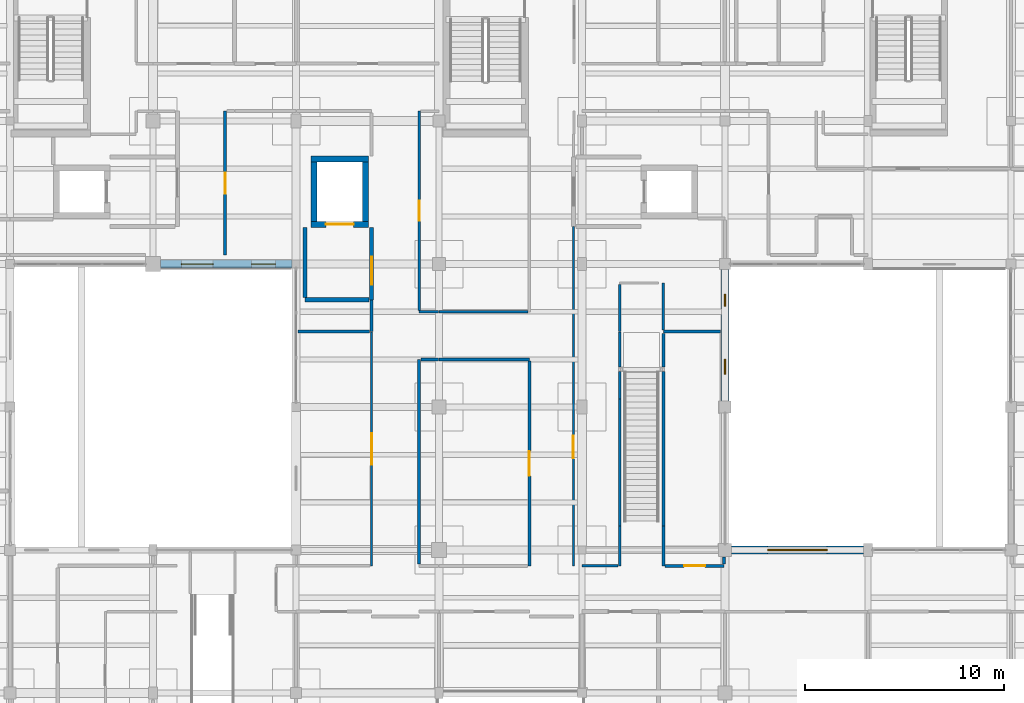
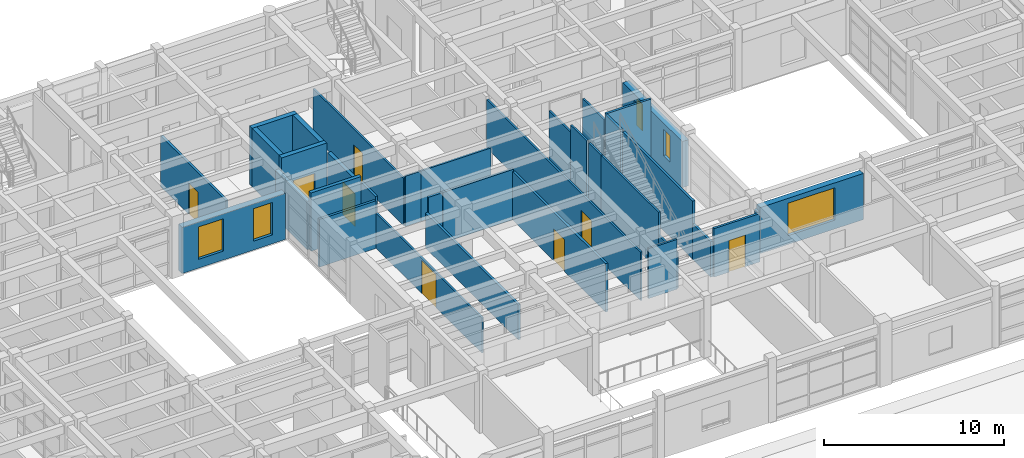
# One storey, part 87 of 110: 35 walls, 8 doors, 5 windows, 13 openings.
"""IFC4 building model written with IfcOpenShell, lengths in metres."""

import ifcopenshell
import ifcopenshell.guid

model = None  # the IFC model being written
_history = None  # IfcOwnerHistory: only IFC2X3 demands one
_inside = {}  # id of a spatial element -> (the spatial element, [elements in it])
_under = {}  # id of a project, library or spatial element -> (it, [spatial elements below it])
_declared = {}  # id of a project -> (the project, [libraries it declares])
_typed = {}  # id of a type object -> (the type object, [elements of that type])
_made_of = {}  # id of a material, layer set ... -> (it, [elements and type objects made of it])


def new_model(schema):
    """Start an empty IFC model of exactly this schema.

    Asked for "IFC4X3", IfcOpenShell would pick the latest addendum, in which some entities
    have other attributes; the version numbers below select the first issue.
    IFC2X3 requires an IfcOwnerHistory on every rooted entity: one is made here for all.
    """
    global model, _history
    if schema == "IFC4X3":
        model = ifcopenshell.file(schema_version=(4, 3, 0, 0))
    else:
        model = ifcopenshell.file(schema=schema)
    _inside.clear()
    _under.clear()
    _declared.clear()
    _typed.clear()
    _made_of.clear()
    _history = None
    if model.schema == "IFC2X3":
        org = make("IfcOrganization", Name="unknown")
        user = make(
            "IfcPersonAndOrganization",
            ThePerson=make("IfcPerson", FamilyName="unknown"),
            TheOrganization=org,
        )
        app = make(
            "IfcApplication",
            ApplicationDeveloper=org,
            Version="unknown",
            ApplicationFullName="unknown",
            ApplicationIdentifier="unknown",
        )
        _history = make(
            "IfcOwnerHistory",
            OwningUser=user,
            OwningApplication=app,
            ChangeAction="ADDED",
            CreationDate=0,
        )
    return model


def make(cls, **values):
    """One entity of the class cls with the attributes given. An attribute that is None is left unset."""
    return model.create_entity(
        cls, **{name: value for name, value in values.items() if value is not None}
    )


def rooted(cls, **values):
    """An entity with a GlobalId (a new one), such as an element, a storey or a relation."""
    return make(cls, GlobalId=ifcopenshell.guid.new(), OwnerHistory=_history, **values)


def si_unit(unit_type, name, prefix=None):
    """IfcSIUnit, for example si_unit("LENGTHUNIT", "METRE", prefix="MILLI")."""
    return make("IfcSIUnit", UnitType=unit_type, Prefix=prefix, Name=name)


def assignment(units):
    """IfcUnitAssignment: the units of a project."""
    return None if units is None else make("IfcUnitAssignment", Units=units)


def point(xyz):
    """IfcCartesianPoint."""
    return None if xyz is None else make("IfcCartesianPoint", Coordinates=xyz)


def direction(xyz):
    """IfcDirection."""
    return None if xyz is None else make("IfcDirection", DirectionRatios=xyz)


def frame(location, z_axis=None, x_axis=None):
    """IfcAxis2Placement3D, a coordinate frame: its origin and axes. An axis left out is left unset."""
    return make(
        "IfcAxis2Placement3D",
        Location=point(location),
        Axis=direction(z_axis),
        RefDirection=direction(x_axis),
    )


def frame_2d(location, x_axis=None):
    """IfcAxis2Placement2D, a coordinate frame in the plane: its origin and x axis."""
    return make(
        "IfcAxis2Placement2D", Location=point(location), RefDirection=direction(x_axis)
    )


def origin():
    """The frame at (0, 0, 0) with its axes left unset."""
    return frame((0.0, 0.0, 0.0))


def place(relative_to, where):
    """IfcLocalPlacement: puts the frame where relative to a parent placement (None: the world)."""
    return make(
        "IfcLocalPlacement", PlacementRelTo=relative_to, RelativePlacement=where
    )


def context(
    kind, dimensions, precision=None, world=None, true_north=None, identifier=None
):
    """IfcGeometricRepresentationContext, for example the 3D "Model" context."""
    return make(
        "IfcGeometricRepresentationContext",
        ContextIdentifier=identifier,
        ContextType=kind,
        CoordinateSpaceDimension=dimensions,
        Precision=precision,
        WorldCoordinateSystem=world,
        TrueNorth=true_north,
    )


def subcontext(parent, identifier, kind, view, scale=None):
    """IfcGeometricRepresentationSubContext, for example "Body" below "Model"."""
    return make(
        "IfcGeometricRepresentationSubContext",
        ContextIdentifier=identifier,
        ContextType=kind,
        ParentContext=parent,
        TargetScale=scale,
        TargetView=view,
    )


def project(units=None, contexts=None):
    """IfcProject with its units and contexts."""
    return rooted(
        "IfcProject",
        Name="project",
        RepresentationContexts=contexts,
        UnitsInContext=assignment(units),
    )


def spatial(cls, under=None, at=None, **own):
    """A site, building, storey or space (cls), placed at a placement, below another one or the project."""
    s = rooted(cls, ObjectPlacement=at, **own)
    if under is not None:
        _under.setdefault(under.id(), (under, []))[1].append(s)
    return s


def profile(cls, at=None, kind="AREA", **sizes):
    """A parametric profile (cls). Its sizes go by their IFC names, for example OverallWidth=200.0."""
    return make(cls, ProfileType=kind, Position=at, **sizes)


def rectangle(**sizes):
    """IfcRectangleProfileDef."""
    return profile("IfcRectangleProfileDef", **sizes)


def extrude(swept, where, along, depth):
    """IfcExtrudedAreaSolid: the profile swept, set in the frame where, extruded along a direction by depth."""
    return make(
        "IfcExtrudedAreaSolid",
        SweptArea=swept,
        Position=where,
        ExtrudedDirection=direction(along),
        Depth=depth,
    )


def shape(context_of_items, identifier, shape_type, items):
    """IfcShapeRepresentation: the items that make up one representation, for example the "Body"."""
    return make(
        "IfcShapeRepresentation",
        ContextOfItems=context_of_items,
        RepresentationIdentifier=identifier,
        RepresentationType=shape_type,
        Items=items,
    )


def material(Name=None, Category=None):
    """IfcMaterial."""
    return make("IfcMaterial", Name=Name, Category=Category)


def layer(
    of_material, thickness, ventilated=None, Name=None, Category=None, Priority=None
):
    """IfcMaterialLayer: one layer of a wall or slab, of a material (None: an air gap)."""
    return make(
        "IfcMaterialLayer",
        Material=of_material,
        LayerThickness=thickness,
        IsVentilated=ventilated,
        Name=Name,
        Category=Category,
        Priority=Priority,
    )


def layer_set(layers, Name=None):
    """IfcMaterialLayerSet."""
    return make("IfcMaterialLayerSet", MaterialLayers=layers, LayerSetName=Name)


def made_of(thing, what):
    """Note that an element or type object is made of a material, layer set ...; save() writes the relation."""
    if what is not None:
        _made_of.setdefault(what.id(), (what, []))[1].append(thing)
    return thing


def type_object(cls, material=None, **own):
    """A type object (cls), such as IfcWallType, which elements share."""
    return made_of(rooted(cls, **own), material)


def element(
    cls,
    number,
    at=None,
    inside=None,
    cuts=None,
    type_object=None,
    material=None,
    context=None,
    identifier="Body",
    shape_type=None,
    held_by="IfcProductDefinitionShape",
    body=None,
    shapes=None,
    **own,
):
    """One element of the class cls, such as IfcWall. Its Tag is "e" and its number.

    at: its placement. inside: the storey or other place that contains it. cuts: it is an
    opening in that element (IfcRelVoidsElement). A single representation is given by context,
    identifier, shape_type and body (its items); several are given by shapes. held_by: the class
    of the entity that holds the representations. save() writes the other relations.
    """
    e = rooted(cls, Tag="e%d" % number, ObjectPlacement=at, **own)
    if body is not None:
        shapes = [shape(context, identifier, shape_type, body)]
    if shapes is not None:
        e.Representation = make(held_by, Representations=shapes)
    if inside is not None:
        _inside.setdefault(inside.id(), (inside, []))[1].append(e)
    if cuts is not None:
        rooted(
            "IfcRelVoidsElement", RelatingBuildingElement=cuts, RelatedOpeningElement=e
        )
    if type_object is not None:
        _typed.setdefault(type_object.id(), (type_object, []))[1].append(e)
    return made_of(e, material)


def fill(opening, filler):
    """IfcRelFillsElement: the door or window that sits in an opening."""
    return rooted(
        "IfcRelFillsElement",
        RelatingOpeningElement=opening,
        RelatedBuildingElement=filler,
    )


def aggregate(whole, parts):
    """IfcRelAggregates: a whole, such as a stair, and the parts it consists of."""
    return rooted("IfcRelAggregates", RelatingObject=whole, RelatedObjects=parts)


def save(model, path):
    """Write the relations noted so far, then the file.

    IfcRelAggregates (storeys below a building ...), IfcRelContainedInSpatialStructure (elements
    in a storey), IfcRelDefinesByType, IfcRelAssociatesMaterial and IfcRelDeclares: one each for
    every whole, place, type object, material and project.
    """
    for whole, parts in _under.values():
        aggregate(whole, parts)
    for where, things in _inside.values():
        rooted(
            "IfcRelContainedInSpatialStructure",
            RelatedElements=things,
            RelatingStructure=where,
        )
    for kind, things in _typed.values():
        rooted("IfcRelDefinesByType", RelatedObjects=things, RelatingType=kind)
    for what, things in _made_of.values():
        rooted("IfcRelAssociatesMaterial", RelatedObjects=things, RelatingMaterial=what)
    for by, libraries in _declared.values():
        rooted("IfcRelDeclares", RelatingContext=by, RelatedDefinitions=libraries)
    model.write(path)


model = new_model("IFC4")

# Units and contexts
model_context = context("Model", 3, precision=1e-05, world=origin(), true_north=direction((0.0, 1.0)))
body_context = subcontext(model_context, "Body", "Model", "MODEL_VIEW")
ifc_project = project(units=[si_unit("LENGTHUNIT", "METRE"), si_unit("AREAUNIT", "SQUARE_METRE"), si_unit("VOLUMEUNIT", "CUBIC_METRE"), si_unit("PLANEANGLEUNIT", "RADIAN"), si_unit("MASSUNIT", "GRAM", prefix="KILO")], contexts=[model_context])

# Site, building, storey
site_placement = place(None, origin())
site = spatial("IfcSite", under=ifc_project, at=site_placement, CompositionType="ELEMENT")
building_placement = place(site_placement, origin())
building = spatial("IfcBuilding", under=site, at=building_placement, Name="Steenspoor Specialist Clinic", CompositionType="ELEMENT")
storey_placement = place(building_placement, frame((0.0, 0.0, 4.800048828125)))
storey = spatial("IfcBuildingStorey", under=building, at=storey_placement, Name="L01", CompositionType="ELEMENT", Elevation=4.800048828125)

# Wall, opening, window
ifc_material_1 = material(Name="Extruded clay brick masonry", Category="masonry")
ifc_layer_1 = layer(ifc_material_1, 0.3798828125)
ifc_layer_set_1 = layer_set([ifc_layer_1], Name="Extruded clay brick masonry")
wall_type_1 = type_object("IfcWallType", Name="W-BRICK-380", PredefinedType="USERDEFINED", material=ifc_layer_set_1)
wall_1_placement = place(storey_placement, frame((95.925048828125, 79.550048828125, 0.0), z_axis=(0.0, 0.0, 1.0), x_axis=(1.0, 0.0, 0.0)))
wall_1 = element("IfcWall", 1, at=wall_1_placement, inside=storey, type_object=wall_type_1, Name="Exterior Brick Wall EW-V4-L01-0137", ObjectType="CAVITY VENEER", PredefinedType="USERDEFINED", context=body_context, shape_type="SweptSolid", body=[
    extrude(rectangle(XDim=6.64990234375, YDim=0.3798828125, at=frame_2d((3.324951171875, 0.0))), origin(), (0.0, 0.0, 1.0), 3.1298828125),
])
opening_1_placement = place(wall_1_placement, frame((1.824951171875, 0.0, 0.60009765625)))
opening_1 = element("IfcOpeningElement", 2, at=opening_1_placement, cuts=wall_1, Name="Opening WN-19", PredefinedType="OPENING", context=body_context, shape_type="SweptSolid", body=[
    extrude(rectangle(XDim=3.0, YDim=2.199951171875, at=frame_2d((1.5, 1.10009765625))), frame((0.0, 0.199951171875, 0.0), z_axis=(0.0, -1.0, 0.0), x_axis=(1.0, 0.0, 0.0)), (0.0, 0.0, 1.0), 0.39990234375),
])
ifc_material_2 = material(Name="Thermally broken aluminium and low-emissivity glass", Category="aluminium")
window_type_1 = type_object("IfcWindowType", Name="WN-EXT-300X220", PartitioningType="SINGLE_PANEL", PredefinedType="WINDOW", material=ifc_material_2)
window_1_placement = place(opening_1_placement, origin())
window_1 = element("IfcWindow", 3, at=window_1_placement, inside=storey, type_object=window_type_1, Name="Window 0162", OverallHeight=2.199951171875, OverallWidth=3.0, PartitioningType="SINGLE_PANEL", PredefinedType="WINDOW", context=body_context, shape_type="SweptSolid", body=[
    extrude(rectangle(XDim=3.0, YDim=2.199951171875, at=frame_2d((1.5, 1.10009765625))), frame((0.0, 0.030029296875, 0.0), z_axis=(0.0, -1.0, 0.0), x_axis=(1.0, 0.0, 0.0)), (0.0, 0.0, 1.0), 0.06005859375),
])
fill(opening_1, window_1)

# Wall, openings, windows
ifc_layer_2 = layer(ifc_material_1, 0.409912109375)
ifc_layer_set_2 = layer_set([ifc_layer_2], Name="Extruded clay brick masonry")
wall_type_2 = type_object("IfcWallType", Name="W-BRICK-410", PredefinedType="USERDEFINED", material=ifc_layer_set_2)
wall_2_placement = place(storey_placement, frame((73.800048828125, 93.949951171875, 0.0), z_axis=(0.0, 0.0, 1.0), x_axis=(-1.0, 0.0, 0.0)))
wall_2 = element("IfcWall", 4, at=wall_2_placement, inside=storey, type_object=wall_type_2, Name="Exterior Brick Wall EW-V4-L01-0132", ObjectType="CAVITY VENEER", PredefinedType="USERDEFINED", context=body_context, shape_type="SweptSolid", body=[
    extrude(rectangle(XDim=6.625, YDim=0.409912109375, at=frame_2d((3.3125, 0.0))), origin(), (0.0, 0.0, 1.0), 3.1298828125),
])
opening_2_placement = place(wall_2_placement, frame((0.840087890625, 0.0, 0.60009765625)))
opening_2 = element("IfcOpeningElement", 5, at=opening_2_placement, cuts=wall_2, Name="Opening WN-15", PredefinedType="OPENING", context=body_context, shape_type="SweptSolid", body=[
    extrude(rectangle(XDim=1.199951171875, YDim=2.199951171875, at=frame_2d((0.60009765625, 1.10009765625))), frame((0.0, 0.21484375, 0.0), z_axis=(0.0, -1.0, 0.0), x_axis=(1.0, 0.0, 0.0)), (0.0, 0.0, 1.0), 0.429931640625),
])
opening_3_placement = place(wall_2_placement, frame((3.972412109375, 0.0, 0.60009765625)))
opening_3 = element("IfcOpeningElement", 6, at=opening_3_placement, cuts=wall_2, Name="Opening WN-16", PredefinedType="OPENING", context=body_context, shape_type="SweptSolid", body=[
    extrude(rectangle(XDim=1.60009765625, YDim=2.199951171875, at=frame_2d((0.800048828125, 1.10009765625))), frame((0.0, 0.21484375, 0.0), z_axis=(0.0, -1.0, 0.0), x_axis=(1.0, 0.0, 0.0)), (0.0, 0.0, 1.0), 0.429931640625),
])
window_type_2 = type_object("IfcWindowType", Name="WN-EXT-120X220", PartitioningType="SINGLE_PANEL", PredefinedType="WINDOW", material=ifc_material_2)
window_2_placement = place(opening_2_placement, origin())
window_2 = element("IfcWindow", 7, at=window_2_placement, inside=storey, type_object=window_type_2, Name="Window 0155", OverallHeight=2.199951171875, OverallWidth=1.199951171875, PartitioningType="SINGLE_PANEL", PredefinedType="WINDOW", context=body_context, shape_type="SweptSolid", body=[
    extrude(rectangle(XDim=1.199951171875, YDim=2.199951171875, at=frame_2d((0.60009765625, 1.10009765625))), frame((0.0, 0.030029296875, 0.0), z_axis=(0.0, -1.0, 0.0), x_axis=(1.0, 0.0, 0.0)), (0.0, 0.0, 1.0), 0.06005859375),
])
fill(opening_2, window_2)
window_type_3 = type_object("IfcWindowType", Name="WN-EXT-160X220", PartitioningType="SINGLE_PANEL", PredefinedType="WINDOW", material=ifc_material_2)
window_3_placement = place(opening_3_placement, origin())
window_3 = element("IfcWindow", 8, at=window_3_placement, inside=storey, type_object=window_type_3, Name="Window 0156", OverallHeight=2.199951171875, OverallWidth=1.60009765625, PartitioningType="SINGLE_PANEL", PredefinedType="WINDOW", context=body_context, shape_type="SweptSolid", body=[
    extrude(rectangle(XDim=1.60009765625, YDim=2.199951171875, at=frame_2d((0.800048828125, 1.10009765625))), frame((0.0, 0.030029296875, 0.0), z_axis=(0.0, -1.0, 0.0), x_axis=(1.0, 0.0, 0.0)), (0.0, 0.0, 1.0), 0.06005859375),
])
fill(opening_3, window_3)

wall_3_placement = place(storey_placement, frame((95.60009765625, 93.675048828125, 0.0), z_axis=(0.0, 0.0, 1.0), x_axis=(0.0, -1.0, 0.0)))
wall_3 = element("IfcWall", 9, at=wall_3_placement, inside=storey, type_object=wall_type_2, Name="Exterior Brick Wall EW-V4-L01-0136", ObjectType="CAVITY VENEER", PredefinedType="USERDEFINED", context=body_context, shape_type="SweptSolid", body=[
    extrude(rectangle(XDim=6.625, YDim=0.409912109375, at=frame_2d((3.3125, 0.0))), origin(), (0.0, 0.0, 1.0), 3.1298828125),
])
opening_4_placement = place(wall_3_placement, frame((1.25244140625, 0.0, 0.89990234375)))
opening_4 = element("IfcOpeningElement", 10, at=opening_4_placement, cuts=wall_3, Name="Opening WN-01", PredefinedType="OPENING", context=body_context, shape_type="SweptSolid", body=[
    extrude(rectangle(XDim=0.60009765625, YDim=1.800048828125, at=frame_2d((0.300048828125, 0.89990234375))), frame((0.0, 0.21484375, 0.0), z_axis=(0.0, -1.0, 0.0), x_axis=(1.0, 0.0, 0.0)), (0.0, 0.0, 1.0), 0.429931640625),
])
opening_5_placement = place(wall_3_placement, frame((4.510009765625, 0.0, 0.89990234375)))
opening_5 = element("IfcOpeningElement", 11, at=opening_5_placement, cuts=wall_3, Name="Opening WN-02", PredefinedType="OPENING", context=body_context, shape_type="SweptSolid", body=[
    extrude(rectangle(XDim=0.75, YDim=1.800048828125, at=frame_2d((0.375, 0.89990234375))), frame((0.0, 0.21484375, 0.0), z_axis=(0.0, -1.0, 0.0), x_axis=(1.0, 0.0, 0.0)), (0.0, 0.0, 1.0), 0.429931640625),
])
window_type_4 = type_object("IfcWindowType", Name="WN-EXT-060X180", PartitioningType="SINGLE_PANEL", PredefinedType="WINDOW", material=ifc_material_2)
window_4_placement = place(opening_4_placement, origin())
window_4 = element("IfcWindow", 12, at=window_4_placement, inside=storey, type_object=window_type_4, Name="Window 0160", OverallHeight=1.800048828125, OverallWidth=0.60009765625, PartitioningType="SINGLE_PANEL", PredefinedType="WINDOW", context=body_context, shape_type="SweptSolid", body=[
    extrude(rectangle(XDim=0.60009765625, YDim=1.800048828125, at=frame_2d((0.300048828125, 0.89990234375))), frame((0.0, 0.030029296875, 0.0), z_axis=(0.0, -1.0, 0.0), x_axis=(1.0, 0.0, 0.0)), (0.0, 0.0, 1.0), 0.06005859375),
])
fill(opening_4, window_4)
window_type_5 = type_object("IfcWindowType", Name="WN-EXT-075X180", PartitioningType="SINGLE_PANEL", PredefinedType="WINDOW", material=ifc_material_2)
window_5_placement = place(opening_5_placement, origin())
window_5 = element("IfcWindow", 13, at=window_5_placement, inside=storey, type_object=window_type_5, Name="Window 0161", OverallHeight=1.800048828125, OverallWidth=0.75, PartitioningType="SINGLE_PANEL", PredefinedType="WINDOW", context=body_context, shape_type="SweptSolid", body=[
    extrude(rectangle(XDim=0.75, YDim=1.800048828125, at=frame_2d((0.375, 0.89990234375))), frame((0.0, 0.030029296875, 0.0), z_axis=(0.0, -1.0, 0.0), x_axis=(1.0, 0.0, 0.0)), (0.0, 0.0, 1.0), 0.06005859375),
])
fill(opening_5, window_5)

# Wall
ifc_material_3 = material(Name="Gypsum acoustic clinical partition", Category="gypsum")
ifc_layer_3 = layer(ifc_material_3, 0.14990234375)
ifc_layer_set_3 = layer_set([ifc_layer_3], Name="Gypsum acoustic clinical partition")
wall_type_3 = type_object("IfcWallType", Name="W-CLIN-150", PredefinedType="PARTITIONING", material=ifc_layer_set_3)
wall_4_placement = place(storey_placement, frame((81.199951171875, 89.14990234375, 0.0), z_axis=(0.0, 0.0, 1.0), x_axis=(1.0, 0.0, 0.0)))
element("IfcWall", 14, at=wall_4_placement, inside=storey, type_object=wall_type_3, Name="Interior Partition IW-V4-L01-0892", PredefinedType="PARTITIONING", context=body_context, shape_type="SweptSolid", body=[
    extrude(rectangle(XDim=4.550048828125, YDim=0.14990234375, at=frame_2d((2.27490234375, 0.0))), origin(), (0.0, 0.0, 1.0), 3.4150390625),
])

# Wall, opening, door
wall_5_placement = place(storey_placement, frame((85.75, 78.75, 0.0), z_axis=(0.0, 0.0, 1.0), x_axis=(0.0, 1.0, 0.0)))
wall_5 = element("IfcWall", 15, at=wall_5_placement, inside=storey, type_object=wall_type_3, Name="Interior Partition IW-V4-L01-0893", PredefinedType="PARTITIONING", context=body_context, shape_type="SweptSolid", body=[
    extrude(rectangle(XDim=10.31005859375, YDim=0.14990234375, at=frame_2d((5.155029296875, 0.0))), origin(), (0.0, 0.0, 1.0), 3.284912109375),
])
opening_6_placement = place(wall_5_placement, frame((4.530029296875, 0.0, 0.0)))
opening_6 = element("IfcOpeningElement", 16, at=opening_6_placement, cuts=wall_5, Name="Opening D0206", PredefinedType="OPENING", context=body_context, shape_type="SweptSolid", body=[
    extrude(rectangle(XDim=1.25, YDim=2.14990234375, at=frame_2d((0.625, 1.074951171875))), frame((0.0, 0.0849609375, 0.0), z_axis=(0.0, -1.0, 0.0), x_axis=(1.0, 0.0, 0.0)), (0.0, 0.0, 1.0), 0.169921875),
])
ifc_material_4 = material(Name="Hygienic HPL clinical timber door", Category="wood")
door_type_1 = type_object("IfcDoorType", Name="DT-EXAM-125X215", OperationType="NOTDEFINED", PredefinedType="DOOR", material=ifc_material_4)
door_1_placement = place(opening_6_placement, origin())
door_1 = element("IfcDoor", 17, at=door_1_placement, inside=storey, type_object=door_type_1, Name="Clinical Door D0206", OperationType="SINGLE_SWING_LEFT", OverallHeight=2.14990234375, OverallWidth=1.25, PredefinedType="DOOR", context=body_context, shape_type="SweptSolid", body=[
    extrude(rectangle(XDim=1.25, YDim=2.14990234375, at=frame_2d((0.625, 1.074951171875))), frame((0.0, 0.02490234375, 0.0), z_axis=(0.0, -1.0, 0.0), x_axis=(1.0, 0.0, 0.0)), (0.0, 0.0, 1.0), 0.050048828125),
])
fill(opening_6, door_1)

# Walls
wall_6_placement = place(storey_placement, frame((80.199951171875, 78.840087890625, 0.0), z_axis=(0.0, 0.0, 1.0), x_axis=(0.0, 1.0, 0.0)))
element("IfcWall", 18, at=wall_6_placement, inside=storey, type_object=wall_type_3, Name="Interior Partition IW-V4-L01-0896", PredefinedType="PARTITIONING", context=body_context, shape_type="SweptSolid", body=[
    extrude(rectangle(XDim=10.309814453125, YDim=0.14990234375, at=frame_2d((5.15478515625, 0.0))), origin(), (0.0, 0.0, 1.0), 2.375),
])
wall_7_placement = place(storey_placement, frame((80.2900390625, 89.14990234375, 0.0), z_axis=(0.0, 0.0, 1.0), x_axis=(1.0, 0.0, 0.0)))
element("IfcWall", 19, at=wall_7_placement, inside=storey, type_object=wall_type_3, Name="Interior Partition IW-V4-L01-0897", PredefinedType="PARTITIONING", context=body_context, shape_type="SweptSolid", body=[
    extrude(rectangle(XDim=0.89501953125, YDim=0.14990234375, at=frame_2d((0.447509765625, 0.0))), origin(), (0.0, 0.0, 1.0), 3.4150390625),
])
wall_8_placement = place(storey_placement, frame((92.5, 78.75, 0.0), z_axis=(0.0, 0.0, 1.0), x_axis=(0.0, 1.0, 0.0)))
element("IfcWall", 20, at=wall_8_placement, inside=storey, type_object=wall_type_3, Name="Interior Partition IW-V4-L01-0898", PredefinedType="PARTITIONING", context=body_context, shape_type="SweptSolid", body=[
    extrude(rectangle(XDim=2.0, YDim=0.14990234375, at=frame_2d((1.0, 0.0))), origin(), (0.0, 0.0, 1.0), 2.4150390625),
])

# Wall, opening, door
wall_9_placement = place(storey_placement, frame((92.590087890625, 78.75, 0.0), z_axis=(0.0, 0.0, 1.0), x_axis=(1.0, 0.0, 0.0)))
wall_9 = element("IfcWall", 21, at=wall_9_placement, inside=storey, type_object=wall_type_3, Name="Interior Partition IW-V4-L01-0899", PredefinedType="PARTITIONING", context=body_context, shape_type="SweptSolid", body=[
    extrude(rectangle(XDim=2.969970703125, YDim=0.14990234375, at=frame_2d((1.48486328125, 0.0))), origin(), (0.0, 0.0, 1.0), 3.284912109375),
])
opening_7_placement = place(wall_9_placement, frame((0.9599609375, 0.0, 0.0)))
opening_7 = element("IfcOpeningElement", 22, at=opening_7_placement, cuts=wall_9, Name="Opening D0208", PredefinedType="OPENING", context=body_context, shape_type="SweptSolid", body=[
    extrude(rectangle(XDim=1.050048828125, YDim=2.14990234375, at=frame_2d((0.52490234375, 1.074951171875))), frame((0.0, 0.0849609375, 0.0), z_axis=(0.0, -1.0, 0.0), x_axis=(1.0, 0.0, 0.0)), (0.0, 0.0, 1.0), 0.169921875),
])
ifc_material_5 = material(Name="Solid-core hardwood office door", Category="wood")
door_type_2 = type_object("IfcDoorType", Name="DT-OFF-105X215", OperationType="NOTDEFINED", PredefinedType="DOOR", material=ifc_material_5)
door_2_placement = place(opening_7_placement, origin())
door_2 = element("IfcDoor", 23, at=door_2_placement, inside=storey, type_object=door_type_2, Name="Clinical Door D0208", OperationType="SINGLE_SWING_LEFT", OverallHeight=2.14990234375, OverallWidth=1.050048828125, PredefinedType="DOOR", context=body_context, shape_type="SweptSolid", body=[
    extrude(rectangle(XDim=1.050048828125, YDim=2.14990234375, at=frame_2d((0.52490234375, 1.074951171875))), frame((0.0, 0.02490234375, 0.0), z_axis=(0.0, -1.0, 0.0), x_axis=(1.0, 0.0, 0.0)), (0.0, 0.0, 1.0), 0.050048828125),
])
fill(opening_7, door_2)

wall_10_placement = place(storey_placement, frame((70.429931640625, 94.39990234375, 0.0), z_axis=(0.0, 0.0, 1.0), x_axis=(0.0, 1.0, 0.0)))
wall_10 = element("IfcWall", 24, at=wall_10_placement, inside=storey, type_object=wall_type_3, Name="Interior Partition IW-V4-L01-0905", PredefinedType="PARTITIONING", context=body_context, shape_type="SweptSolid", body=[
    extrude(rectangle(XDim=7.25, YDim=0.14990234375, at=frame_2d((3.625, 0.0))), origin(), (0.0, 0.0, 1.0), 3.454833984375),
])
opening_8_placement = place(wall_10_placement, frame((3.10009765625, 0.0, 0.0)))
opening_8 = element("IfcOpeningElement", 25, at=opening_8_placement, cuts=wall_10, Name="Opening D0214", PredefinedType="OPENING", context=body_context, shape_type="SweptSolid", body=[
    extrude(rectangle(XDim=1.050048828125, YDim=2.14990234375, at=frame_2d((0.52490234375, 1.074951171875))), frame((0.0, 0.0849609375, 0.0), z_axis=(0.0, -1.0, 0.0), x_axis=(1.0, 0.0, 0.0)), (0.0, 0.0, 1.0), 0.169921875),
])
door_3_placement = place(opening_8_placement, origin())
door_3 = element("IfcDoor", 26, at=door_3_placement, inside=storey, type_object=door_type_2, Name="Clinical Door D0214", OperationType="SINGLE_SWING_LEFT", OverallHeight=2.14990234375, OverallWidth=1.050048828125, PredefinedType="DOOR", context=body_context, shape_type="SweptSolid", body=[
    extrude(rectangle(XDim=1.050048828125, YDim=2.14990234375, at=frame_2d((0.52490234375, 1.074951171875))), frame((0.0, 0.02490234375, 0.0), z_axis=(0.0, -1.0, 0.0), x_axis=(1.0, 0.0, 0.0)), (0.0, 0.0, 1.0), 0.050048828125),
])
fill(opening_8, door_3)

# Walls
wall_11_placement = place(storey_placement, frame((77.800048828125, 90.550048828125, 0.0), z_axis=(0.0, 0.0, 1.0), x_axis=(0.0, 1.0, 0.0)))
element("IfcWall", 27, at=wall_11_placement, inside=storey, type_object=wall_type_3, Name="Interior Partition IW-V4-L01-0910", PredefinedType="PARTITIONING", context=body_context, shape_type="SweptSolid", body=[
    extrude(rectangle(XDim=1.5849609375, YDim=0.14990234375, at=frame_2d((0.79248046875, 0.0))), origin(), (0.0, 0.0, 1.0), 3.474853515625),
])
wall_12_placement = place(storey_placement, frame((74.10498046875, 90.550048828125, 0.0), z_axis=(0.0, 0.0, 1.0), x_axis=(1.0, 0.0, 0.0)))
element("IfcWall", 28, at=wall_12_placement, inside=storey, type_object=wall_type_3, Name="Interior Partition IW-V4-L01-1194", PredefinedType="PARTITIONING", context=body_context, shape_type="SweptSolid", body=[
    extrude(rectangle(XDim=3.60498046875, YDim=0.14990234375, at=frame_2d((1.802490234375, 0.0))), origin(), (0.0, 0.0, 1.0), 3.23486328125),
])
wall_13_placement = place(storey_placement, frame((92.5, 90.550048828125, 0.0), z_axis=(0.0, 0.0, 1.0), x_axis=(1.0, 0.0, 0.0)))
element("IfcWall", 29, at=wall_13_placement, inside=storey, type_object=wall_type_3, Name="Interior Partition IW-V4-L01-1198", PredefinedType="PARTITIONING", context=body_context, shape_type="SweptSolid", body=[
    extrude(rectangle(XDim=2.8798828125, YDim=0.14990234375, at=frame_2d((1.43994140625, 0.0))), origin(), (0.0, 0.0, 1.0), 3.949951171875),
])
wall_14_placement = place(storey_placement, frame((92.5, 80.764892578125, 0.0), z_axis=(0.0, 0.0, 1.0), x_axis=(0.0, 1.0, 0.0)))
element("IfcWall", 30, at=wall_14_placement, inside=storey, type_object=wall_type_3, Name="Interior Partition IW-V4-L01-1199", PredefinedType="PARTITIONING", context=body_context, shape_type="SweptSolid", body=[
    extrude(rectangle(XDim=7.76806640625, YDim=0.14990234375, at=frame_2d((3.884033203125, 0.0))), origin(), (0.0, 0.0, 1.0), 3.949951171875),
])
wall_15_placement = place(storey_placement, frame((92.5, 88.76708984375, 0.0), z_axis=(0.0, 0.0, 1.0), x_axis=(0.0, 1.0, 0.0)))
element("IfcWall", 31, at=wall_15_placement, inside=storey, type_object=wall_type_3, Name="Interior Partition IW-V4-L01-1200", PredefinedType="PARTITIONING", context=body_context, shape_type="SweptSolid", body=[
    extrude(rectangle(XDim=1.69287109375, YDim=0.14990234375, at=frame_2d((0.846435546875, 0.0))), origin(), (0.0, 0.0, 1.0), 3.949951171875),
])
wall_16_placement = place(storey_placement, frame((95.56005859375, 78.840087890625, 0.0), z_axis=(0.0, 0.0, 1.0), x_axis=(0.0, 1.0, 0.0)))
element("IfcWall", 32, at=wall_16_placement, inside=storey, type_object=wall_type_3, Name="Interior Partition IW-V4-L01-1201", PredefinedType="PARTITIONING", context=body_context, shape_type="SweptSolid", body=[
    extrude(rectangle(XDim=0.369873046875, YDim=0.14990234375, at=frame_2d((0.18505859375, 0.0))), origin(), (0.0, 0.0, 1.0), 3.284912109375),
])

# Wall, opening, door
ifc_material_6 = material(Name="Fire-rated clay blockwork masonry", Category="masonry")
ifc_layer_4 = layer(ifc_material_6, 0.219970703125)
ifc_layer_set_4 = layer_set([ifc_layer_4], Name="Fire-rated clay blockwork masonry")
wall_type_4 = type_object("IfcWallType", Name="W-FIRE-220", PredefinedType="PARTITIONING", material=ifc_layer_set_4)
wall_17_placement = place(storey_placement, frame((77.800048828125, 92.14990234375, 0.0), z_axis=(0.0, 0.0, 1.0), x_axis=(0.0, 1.0, 0.0)))
wall_17 = element("IfcWall", 33, at=wall_17_placement, inside=storey, type_object=wall_type_4, Name="Interior Partition IW-V4-L01-0668", PredefinedType="PARTITIONING", context=body_context, shape_type="SweptSolid", body=[
    extrude(rectangle(XDim=3.650146484375, YDim=0.219970703125, at=frame_2d((1.8251953125, 0.0))), origin(), (0.0, 0.0, 1.0), 3.284912109375),
])
opening_9_placement = place(wall_17_placement, frame((0.764892578125, 0.0, 0.0)))
opening_9 = element("IfcOpeningElement", 34, at=opening_9_placement, cuts=wall_17, Name="Opening D0188", PredefinedType="OPENING", context=body_context, shape_type="SweptSolid", body=[
    extrude(rectangle(XDim=1.39990234375, YDim=2.199951171875, at=frame_2d((0.699951171875, 1.10009765625))), frame((0.0, 0.1201171875, 0.0), z_axis=(0.0, -1.0, 0.0), x_axis=(1.0, 0.0, 0.0)), (0.0, 0.0, 1.0), 0.239990234375),
])
ifc_material_7 = material(Name="Fire-rated clinical laminate door", Category="steel")
door_type_3 = type_object("IfcDoorType", Name="DT-LAB-140X220", OperationType="NOTDEFINED", PredefinedType="DOOR", material=ifc_material_7)
door_4_placement = place(opening_9_placement, origin())
door_4 = element("IfcDoor", 35, at=door_4_placement, inside=storey, type_object=door_type_3, Name="Lift Lobby Fire Door D0188", OperationType="SINGLE_SWING_LEFT", OverallHeight=2.199951171875, OverallWidth=1.39990234375, PredefinedType="DOOR", context=body_context, shape_type="SweptSolid", body=[
    extrude(rectangle(XDim=1.39990234375, YDim=2.199951171875, at=frame_2d((0.699951171875, 1.10009765625))), frame((0.0, 0.02490234375, 0.0), z_axis=(0.0, -1.0, 0.0), x_axis=(1.0, 0.0, 0.0)), (0.0, 0.0, 1.0), 0.050048828125),
])
fill(opening_9, door_4)

# Walls
wall_18_placement = place(storey_placement, frame((74.449951171875, 92.14990234375, 0.0), z_axis=(0.0, 0.0, 1.0), x_axis=(1.0, 0.0, 0.0)))
element("IfcWall", 36, at=wall_18_placement, inside=storey, type_object=wall_type_4, Name="Interior Partition IW-V4-L01-0679", PredefinedType="PARTITIONING", context=body_context, shape_type="SweptSolid", body=[
    extrude(rectangle(XDim=3.22509765625, YDim=0.219970703125, at=frame_2d((1.612548828125, 0.0))), origin(), (0.0, 0.0, 1.0), 3.949951171875),
])
wall_19_placement = place(storey_placement, frame((74.449951171875, 92.27490234375, 0.0), z_axis=(0.0, 0.0, 1.0), x_axis=(0.0, 1.0, 0.0)))
element("IfcWall", 37, at=wall_19_placement, inside=storey, type_object=wall_type_4, Name="Interior Partition IW-V4-L01-0680", PredefinedType="PARTITIONING", context=body_context, shape_type="SweptSolid", body=[
    extrude(rectangle(XDim=3.525146484375, YDim=0.219970703125, at=frame_2d((1.7626953125, 0.0))), origin(), (0.0, 0.0, 1.0), 3.284912109375),
])

# Wall, opening, door
ifc_material_8 = material(Name="Gypsum studio partition board", Category="gypsum")
ifc_layer_5 = layer(ifc_material_8, 0.1201171875)
ifc_layer_set_5 = layer_set([ifc_layer_5], Name="Gypsum studio partition board")
wall_type_5 = type_object("IfcWallType", Name="W-PART-120", PredefinedType="PARTITIONING", material=ifc_layer_set_5)
wall_20_placement = place(storey_placement, frame((77.800048828125, 78.75, 0.0), z_axis=(0.0, 0.0, 1.0), x_axis=(0.0, 1.0, 0.0)))
wall_20 = element("IfcWall", 38, at=wall_20_placement, inside=storey, type_object=wall_type_5, Name="Interior Partition IW-V4-L01-0989", PredefinedType="PARTITIONING", context=body_context, shape_type="SweptSolid", body=[
    extrude(rectangle(XDim=11.784912109375, YDim=0.1201171875, at=frame_2d((5.892578125, 0.0))), origin(), (0.0, 0.0, 1.0), 2.375),
])
opening_10_placement = place(wall_20_placement, frame((5.092529296875, 0.0, 0.0)))
opening_10 = element("IfcOpeningElement", 39, at=opening_10_placement, cuts=wall_20, Name="Opening D0205", PredefinedType="OPENING", context=body_context, shape_type="SweptSolid", body=[
    extrude(rectangle(XDim=1.60009765625, YDim=2.25, at=frame_2d((0.800048828125, 1.125))), frame((0.0, 0.070068359375, 0.0), z_axis=(0.0, -1.0, 0.0), x_axis=(1.0, 0.0, 0.0)), (0.0, 0.0, 1.0), 0.14013671875),
])
door_type_4 = type_object("IfcDoorType", Name="DT-PROC-160X225", OperationType="NOTDEFINED", PredefinedType="DOOR", material=ifc_material_4)
door_5_placement = place(opening_10_placement, origin())
door_5 = element("IfcDoor", 40, at=door_5_placement, inside=storey, type_object=door_type_4, Name="Clinical Door D0205", OperationType="SINGLE_SWING_RIGHT", OverallHeight=2.25, OverallWidth=1.60009765625, PredefinedType="DOOR", context=body_context, shape_type="SweptSolid", body=[
    extrude(rectangle(XDim=1.60009765625, YDim=2.25, at=frame_2d((0.800048828125, 1.125))), frame((0.0, 0.02490234375, 0.0), z_axis=(0.0, -1.0, 0.0), x_axis=(1.0, 0.0, 0.0)), (0.0, 0.0, 1.0), 0.050048828125),
])
fill(opening_10, door_5)

# Walls
wall_21_placement = place(storey_placement, frame((90.300048828125, 78.75, 0.0), z_axis=(0.0, 0.0, 1.0), x_axis=(0.0, 1.0, 0.0)))
element("IfcWall", 41, at=wall_21_placement, inside=storey, type_object=wall_type_5, Name="Interior Partition IW-V4-L01-0991", PredefinedType="PARTITIONING", context=body_context, shape_type="SweptSolid", body=[
    extrude(rectangle(XDim=2.0, YDim=0.1201171875, at=frame_2d((1.0, 0.0))), origin(), (0.0, 0.0, 1.0), 2.4150390625),
])
wall_22_placement = place(storey_placement, frame((88.39990234375, 78.75, 0.0), z_axis=(0.0, 0.0, 1.0), x_axis=(1.0, 0.0, 0.0)))
element("IfcWall", 42, at=wall_22_placement, inside=storey, type_object=wall_type_5, Name="Interior Partition IW-V4-L01-0992", PredefinedType="PARTITIONING", context=body_context, shape_type="SweptSolid", body=[
    extrude(rectangle(XDim=1.8251953125, YDim=0.1201171875, at=frame_2d((0.91259765625, 0.0))), origin(), (0.0, 0.0, 1.0), 3.385009765625),
])

# Wall, opening, door
wall_23_placement = place(storey_placement, frame((87.969970703125, 78.75, 0.0), z_axis=(0.0, 0.0, 1.0), x_axis=(0.0, 1.0, 0.0)))
wall_23 = element("IfcWall", 43, at=wall_23_placement, inside=storey, type_object=wall_type_5, Name="Interior Partition IW-V4-L01-0993", PredefinedType="PARTITIONING", context=body_context, shape_type="SweptSolid", body=[
    extrude(rectangle(XDim=17.0849609375, YDim=0.1201171875, at=frame_2d((8.54248046875, 0.0))), origin(), (0.0, 0.0, 1.0), 3.284912109375),
])
opening_11_placement = place(wall_23_placement, frame((5.41796875, 0.0, 0.0)))
opening_11 = element("IfcOpeningElement", 44, at=opening_11_placement, cuts=wall_23, Name="Opening D0207", PredefinedType="OPENING", context=body_context, shape_type="SweptSolid", body=[
    extrude(rectangle(XDim=1.14990234375, YDim=2.14990234375, at=frame_2d((0.574951171875, 1.074951171875))), frame((0.0, 0.070068359375, 0.0), z_axis=(0.0, -1.0, 0.0), x_axis=(1.0, 0.0, 0.0)), (0.0, 0.0, 1.0), 0.14013671875),
])
ifc_material_9 = material(Name="Solid-core hardwood clinical door", Category="wood")
door_type_5 = type_object("IfcDoorType", Name="DT-CONS-115X215", OperationType="NOTDEFINED", PredefinedType="DOOR", material=ifc_material_9)
door_6_placement = place(opening_11_placement, origin())
door_6 = element("IfcDoor", 45, at=door_6_placement, inside=storey, type_object=door_type_5, Name="Clinical Door D0207", OperationType="SINGLE_SWING_RIGHT", OverallHeight=2.14990234375, OverallWidth=1.14990234375, PredefinedType="DOOR", context=body_context, shape_type="SweptSolid", body=[
    extrude(rectangle(XDim=1.14990234375, YDim=2.14990234375, at=frame_2d((0.574951171875, 1.074951171875))), frame((0.0, 0.02490234375, 0.0), z_axis=(0.0, -1.0, 0.0), x_axis=(1.0, 0.0, 0.0)), (0.0, 0.0, 1.0), 0.050048828125),
])
fill(opening_11, door_6)

# Walls
wall_24_placement = place(storey_placement, frame((81.199951171875, 91.550048828125, 0.0), z_axis=(0.0, 0.0, 1.0), x_axis=(1.0, 0.0, 0.0)))
element("IfcWall", 46, at=wall_24_placement, inside=storey, type_object=wall_type_5, Name="Interior Partition IW-V4-L01-1001", PredefinedType="PARTITIONING", context=body_context, shape_type="SweptSolid", body=[
    extrude(rectangle(XDim=4.47509765625, YDim=0.1201171875, at=frame_2d((2.237548828125, 0.0))), origin(), (0.0, 0.0, 1.0), 3.4150390625),
])
wall_25_placement = place(storey_placement, frame((80.199951171875, 91.550048828125, 0.0), z_axis=(0.0, 0.0, 1.0), x_axis=(1.0, 0.0, 0.0)))
element("IfcWall", 47, at=wall_25_placement, inside=storey, type_object=wall_type_5, Name="Interior Partition IW-V4-L01-1002", PredefinedType="PARTITIONING", context=body_context, shape_type="SweptSolid", body=[
    extrude(rectangle(XDim=0.985107421875, YDim=0.1201171875, at=frame_2d((0.49267578125, 0.0))), origin(), (0.0, 0.0, 1.0), 3.4150390625),
])

# Wall, opening, door
wall_26_placement = place(storey_placement, frame((80.199951171875, 91.625, 0.0), z_axis=(0.0, 0.0, 1.0), x_axis=(0.0, 1.0, 0.0)))
wall_26 = element("IfcWall", 48, at=wall_26_placement, inside=storey, type_object=wall_type_5, Name="Interior Partition IW-V4-L01-1003", PredefinedType="PARTITIONING", context=body_context, shape_type="SweptSolid", body=[
    extrude(rectangle(XDim=10.02490234375, YDim=0.1201171875, at=frame_2d((5.012451171875, 0.0))), origin(), (0.0, 0.0, 1.0), 3.21484375),
])
opening_12_placement = place(wall_26_placement, frame((4.512451171875, 0.0, 0.0)))
opening_12 = element("IfcOpeningElement", 49, at=opening_12_placement, cuts=wall_26, Name="Opening D0215", PredefinedType="OPENING", context=body_context, shape_type="SweptSolid", body=[
    extrude(rectangle(XDim=1.0, YDim=2.14990234375, at=frame_2d((0.5, 1.074951171875))), frame((0.0, 0.070068359375, 0.0), z_axis=(0.0, -1.0, 0.0), x_axis=(1.0, 0.0, 0.0)), (0.0, 0.0, 1.0), 0.14013671875),
])
ifc_material_10 = material(Name="Moisture-resistant HPL accessible WC door", Category="wood")
door_type_6 = type_object("IfcDoorType", Name="DT-AWC-100X215", OperationType="NOTDEFINED", PredefinedType="DOOR", material=ifc_material_10)
door_7_placement = place(opening_12_placement, origin())
door_7 = element("IfcDoor", 50, at=door_7_placement, inside=storey, type_object=door_type_6, Name="Clinical Door D0215", OperationType="SINGLE_SWING_RIGHT", OverallHeight=2.14990234375, OverallWidth=1.0, PredefinedType="DOOR", context=body_context, shape_type="SweptSolid", body=[
    extrude(rectangle(XDim=1.0, YDim=2.14990234375, at=frame_2d((0.5, 1.074951171875))), frame((0.0, 0.02490234375, 0.0), z_axis=(0.0, -1.0, 0.0), x_axis=(1.0, 0.0, 0.0)), (0.0, 0.0, 1.0), 0.050048828125),
])
fill(opening_12, door_7)

# Walls
wall_27_placement = place(storey_placement, frame((90.300048828125, 80.764892578125, 0.0), z_axis=(0.0, 0.0, 1.0), x_axis=(0.0, 1.0, 0.0)))
element("IfcWall", 51, at=wall_27_placement, inside=storey, type_object=wall_type_5, Name="Interior Partition IW-V4-L01-1227", PredefinedType="PARTITIONING", context=body_context, shape_type="SweptSolid", body=[
    extrude(rectangle(XDim=6.385009765625, YDim=0.1201171875, at=frame_2d((3.1923828125, 0.0))), origin(), (0.0, 0.0, 1.0), 3.949951171875),
])
wall_28_placement = place(storey_placement, frame((92.5, 90.639892578125, 0.0), z_axis=(0.0, 0.0, 1.0), x_axis=(0.0, 1.0, 0.0)))
element("IfcWall", 52, at=wall_28_placement, inside=storey, type_object=wall_type_5, Name="Interior Partition IW-V4-L01-1228", PredefinedType="PARTITIONING", context=body_context, shape_type="SweptSolid", body=[
    extrude(rectangle(XDim=2.360107421875, YDim=0.1201171875, at=frame_2d((1.18017578125, 0.0))), origin(), (0.0, 0.0, 1.0), 3.474853515625),
])
wall_29_placement = place(storey_placement, frame((90.300048828125, 90.550048828125, 0.0), z_axis=(0.0, 0.0, 1.0), x_axis=(0.0, 1.0, 0.0)))
element("IfcWall", 53, at=wall_29_placement, inside=storey, type_object=wall_type_5, Name="Interior Partition IW-V4-L01-1230", PredefinedType="PARTITIONING", context=body_context, shape_type="SweptSolid", body=[
    extrude(rectangle(XDim=2.375, YDim=0.1201171875, at=frame_2d((1.1875, 0.0))), origin(), (0.0, 0.0, 1.0), 3.474853515625),
])
wall_30_placement = place(storey_placement, frame((90.300048828125, 87.1650390625, 0.0), z_axis=(0.0, 0.0, 1.0), x_axis=(0.0, 1.0, 0.0)))
element("IfcWall", 54, at=wall_30_placement, inside=storey, type_object=wall_type_5, Name="Interior Partition IW-V4-L01-1231", PredefinedType="PARTITIONING", context=body_context, shape_type="SweptSolid", body=[
    extrude(rectangle(XDim=1.367919921875, YDim=0.1201171875, at=frame_2d((0.68408203125, 0.0))), origin(), (0.0, 0.0, 1.0), 3.949951171875),
])
wall_31_placement = place(storey_placement, frame((90.300048828125, 88.76708984375, 0.0), z_axis=(0.0, 0.0, 1.0), x_axis=(0.0, 1.0, 0.0)))
element("IfcWall", 55, at=wall_31_placement, inside=storey, type_object=wall_type_5, Name="Interior Partition IW-V4-L01-1232", PredefinedType="PARTITIONING", context=body_context, shape_type="SweptSolid", body=[
    extrude(rectangle(XDim=1.767822265625, YDim=0.1201171875, at=frame_2d((0.8837890625, 0.0))), origin(), (0.0, 0.0, 1.0), 3.949951171875),
])

# Wall, opening, door
ifc_material_11 = material(Name="Concrete C40/50", Category="concrete")
ifc_layer_6 = layer(ifc_material_11, 0.300048828125)
ifc_layer_set_6 = layer_set([ifc_layer_6], Name="Concrete C40/50")
wall_type_6 = type_object("IfcWallType", Name="W-SW-300", PredefinedType="SHEAR", material=ifc_layer_set_6)
wall_32_placement = place(storey_placement, frame((74.75, 95.949951171875, 0.0), z_axis=(0.0, 0.0, 1.0), x_axis=(1.0, 0.0, 0.0)))
wall_32 = element("IfcWall", 56, at=wall_32_placement, inside=storey, type_object=wall_type_6, Name="Lift Shaft Shear Wall SW-EL-S1-L01-S", PredefinedType="SHEAR", context=body_context, shape_type="SweptSolid", body=[
    extrude(rectangle(XDim=2.89990234375, YDim=0.300048828125, at=frame_2d((1.449951171875, 0.0))), origin(), (0.0, 0.0, 1.0), 3.949951171875),
])
opening_13_placement = place(wall_32_placement, frame((0.75, 0.0, 0.0)))
opening_13 = element("IfcOpeningElement", 57, at=opening_13_placement, cuts=wall_32, Name="Opening LD02", PredefinedType="OPENING", context=body_context, shape_type="SweptSolid", body=[
    extrude(rectangle(XDim=1.39990234375, YDim=2.14990234375, at=frame_2d((0.699951171875, 1.074951171875))), frame((0.0, 0.16015625, 0.0), z_axis=(0.0, -1.0, 0.0), x_axis=(1.0, 0.0, 0.0)), (0.0, 0.0, 1.0), 0.320068359375),
])
ifc_material_12 = material(Name="Stainless steel lift landing door", Category="steel")
door_type_7 = type_object("IfcDoorType", Name="DT-LIFT-S-140", OperationType="NOTDEFINED", PredefinedType="DOOR", material=ifc_material_12)
door_8_placement = place(opening_13_placement, origin())
door_8 = element("IfcDoor", 58, at=door_8_placement, inside=storey, type_object=door_type_7, Name="Lift Landing Door LD02", OperationType="SLIDING_TO_LEFT", OverallHeight=2.14990234375, OverallWidth=1.39990234375, PredefinedType="DOOR", context=body_context, shape_type="SweptSolid", body=[
    extrude(rectangle(XDim=1.39990234375, YDim=2.14990234375, at=frame_2d((0.699951171875, 1.074951171875))), frame((0.0, 0.02490234375, 0.0), z_axis=(0.0, -1.0, 0.0), x_axis=(1.0, 0.0, 0.0)), (0.0, 0.0, 1.0), 0.050048828125),
])
fill(opening_13, door_8)

# Walls
wall_33_placement = place(storey_placement, frame((74.75, 99.25, 0.0), z_axis=(0.0, 0.0, 1.0), x_axis=(1.0, 0.0, 0.0)))
element("IfcWall", 59, at=wall_33_placement, inside=storey, type_object=wall_type_6, Name="Lift Shaft Shear Wall SW-EL-S1-L01-N", PredefinedType="SHEAR", context=body_context, shape_type="SweptSolid", body=[
    extrude(rectangle(XDim=2.89990234375, YDim=0.300048828125, at=frame_2d((1.449951171875, 0.0))), origin(), (0.0, 0.0, 1.0), 3.949951171875),
])
for number, where, z_axis, x_axis, name in (
    (60, (74.89990234375, 96.10009765625, 0.0), (0.0, 0.0, 1.0), (0.0, 1.0, 0.0), "Lift Shaft Shear Wall SW-EL-S1-L01-W"),
    (61, (77.5, 96.10009765625, 0.0), (0.0, 0.0, 1.0), (0.0, 1.0, 0.0), "Lift Shaft Shear Wall SW-EL-S1-L01-E"),
):
    element("IfcWall", number, at=place(storey_placement, frame(where, z_axis=z_axis, x_axis=x_axis)), inside=storey, type_object=wall_type_6, Name=name, PredefinedType="SHEAR", context=body_context, shape_type="SweptSolid", body=[
        extrude(rectangle(XDim=3.0, YDim=0.300048828125, at=frame_2d((1.5, 0.0))), origin(), (0.0, 0.0, 1.0), 3.949951171875),
    ])

save(model, "model.ifc")
